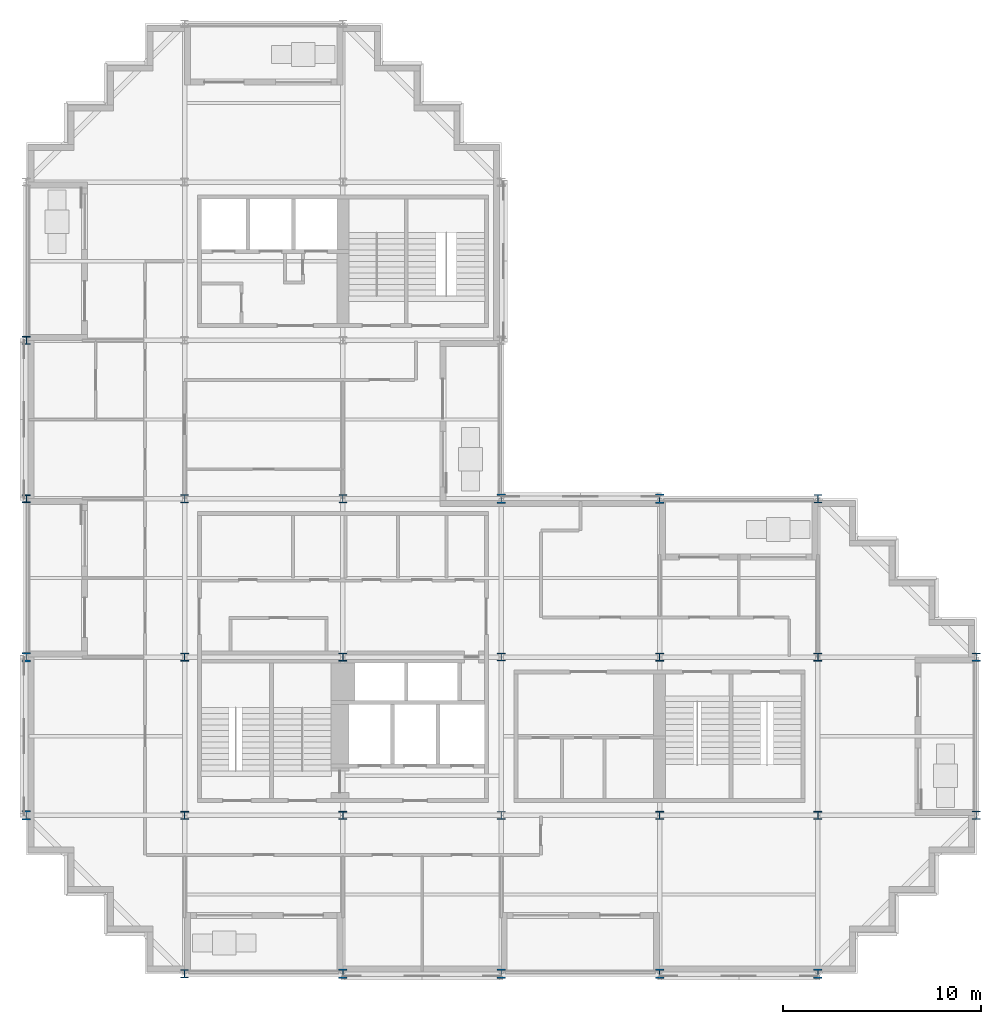
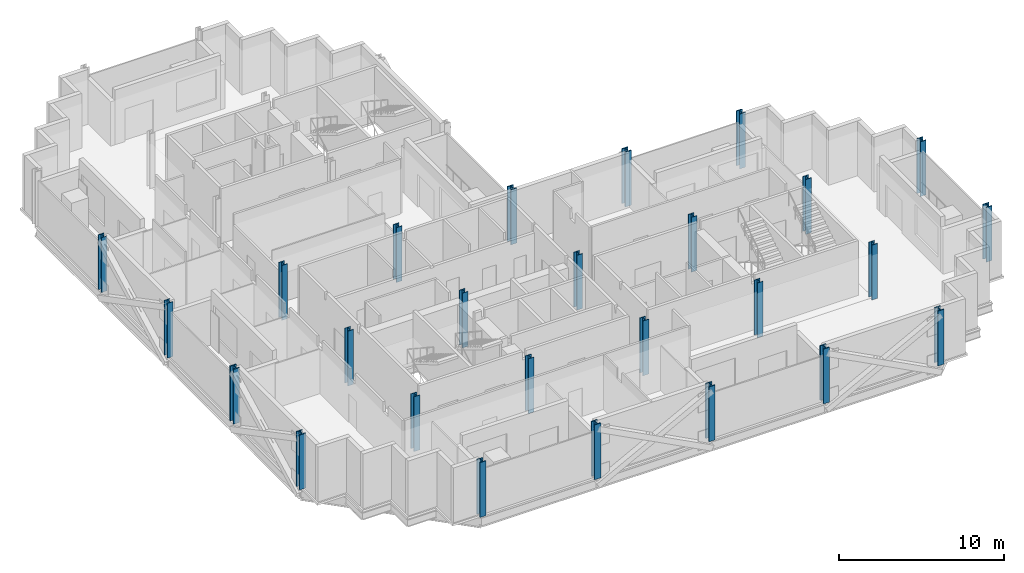
# One storey, part 1 of 12: 26 columns.
"""IFC4 building model written with IfcOpenShell, lengths in metres."""

from ifc_helpers import new_model, si_unit, direction, frame, origin, origin_2d, place, context, subcontext, project, spatial, i_section, extrude, material, material_profile, profile_set, type_object, element, save


model = new_model("IFC4")

# Units and contexts
model_context = context("Model", 3, precision=1e-05, world=origin(), true_north=direction((0.0, 1.0)))
body_context = subcontext(model_context, "Body", "Model", "MODEL_VIEW")
ifc_project = project(units=[si_unit("LENGTHUNIT", "METRE"), si_unit("AREAUNIT", "SQUARE_METRE"), si_unit("VOLUMEUNIT", "CUBIC_METRE"), si_unit("PLANEANGLEUNIT", "RADIAN"), si_unit("MASSUNIT", "GRAM", prefix="KILO")], contexts=[model_context])

# Site, building, storey
site_placement = place(None, origin())
site = spatial("IfcSite", under=ifc_project, at=site_placement, CompositionType="ELEMENT")
building_placement = place(site_placement, origin())
building = spatial("IfcBuilding", under=site, at=building_placement, Name="Immortelle Media Tower", CompositionType="ELEMENT")
storey_placement = place(building_placement, frame((0.0, 0.0, 145.199951171875)))
storey = spatial("IfcBuildingStorey", under=building, at=storey_placement, Name="L29", CompositionType="ELEMENT", Elevation=145.199951171875)

# Columns
ifc_material = material(Name="Steel ASTM A992 Gr 50", Category="steel")
ifc_material_profile_1 = material_profile(ifc_material, i_section(OverallWidth=0.40087890625, OverallDepth=0.39892578125, WebThickness=0.02490234375, FlangeThickness=0.0400390625, at=origin_2d()), Name="W14x211")
ifc_profile_set_1 = profile_set([ifc_material_profile_1], Name="Steel ASTM A992 Gr 50")
column_type_1 = type_object("IfcColumnType", Name="W14x211 column", PredefinedType="COLUMN", material=ifc_profile_set_1)
for number, where, z_axis, x_axis, name in (
    (1, (0.0, 24.0, 0.0), (0.0, 0.0, 1.0), (1.0, 0.0, 0.0), "Column 1/D"),
    (2, (0.0, 32.0, 0.0), (0.0, 0.0, 1.0), (1.0, 0.0, 0.0), "Column 1/E"),
    (3, (8.0, 8.0, 0.0), (0.0, 0.0, 1.0), (1.0, 0.0, 0.0), "Column 2/B"),
    (4, (8.0, 16.0, 0.0), (0.0, 0.0, 1.0), (1.0, 0.0, 0.0), "Column 2/C"),
    (5, (16.0, 8.0, 0.0), (0.0, 0.0, 1.0), (1.0, 0.0, 0.0), "Column 3/B"),
    (6, (16.0, 16.0, 0.0), (0.0, 0.0, 1.0), (1.0, 0.0, 0.0), "Column 3/C"),
    (7, (32.0, 8.0, 0.0), (0.0, 0.0, 1.0), (1.0, 0.0, 0.0), "Column 5/B"),
    (8, (32.0, 16.0, 0.0), (0.0, 0.0, 1.0), (1.0, 0.0, 0.0), "Column 5/C"),
    (9, (40.0, 8.0, 0.0), (0.0, 0.0, 1.0), (1.0, 0.0, 0.0), "Column 6/B"),
    (10, (40.0, 16.0, 0.0), (0.0, 0.0, 1.0), (1.0, 0.0, 0.0), "Column 6/C"),
):
    element("IfcColumn", number, at=place(storey_placement, frame(where, z_axis=z_axis, x_axis=x_axis)), inside=storey, type_object=column_type_1, Name=name, PredefinedType="COLUMN", context=body_context, shape_type="SweptSolid", body=[
        extrude(i_section(OverallWidth=0.40087890625, OverallDepth=0.39892578125, WebThickness=0.02490234375, FlangeThickness=0.0400390625, at=origin_2d()), origin(), (0.0, 0.0, 1.0), 4.050048828125),
    ])
ifc_material_profile_2 = material_profile(ifc_material, i_section(OverallWidth=0.406005859375, OverallDepth=0.4169921875, WebThickness=0.030029296875, FlangeThickness=0.048095703125, at=origin_2d()), Name="W14x257")
ifc_profile_set_2 = profile_set([ifc_material_profile_2], Name="Steel ASTM A992 Gr 50")
column_type_2 = type_object("IfcColumnType", Name="W14x257 column", PredefinedType="COLUMN", material=ifc_profile_set_2)
for number, where, z_axis, x_axis, name in (
    (11, (8.0, 24.0, 0.0), (0.0, 0.0, 1.0), (1.0, 0.0, 0.0), "Column 2/D"),
    (12, (16.0, 24.0, 0.0), (0.0, 0.0, 1.0), (1.0, 0.0, 0.0), "Column 3/D"),
    (13, (24.0, 8.0, 0.0), (0.0, 0.0, 1.0), (1.0, 0.0, 0.0), "Column 4/B"),
    (14, (24.0, 16.0, 0.0), (0.0, 0.0, 1.0), (1.0, 0.0, 0.0), "Column 4/C"),
):
    element("IfcColumn", number, at=place(storey_placement, frame(where, z_axis=z_axis, x_axis=x_axis)), inside=storey, type_object=column_type_2, Name=name, PredefinedType="COLUMN", context=body_context, shape_type="SweptSolid", body=[
        extrude(i_section(OverallWidth=0.406005859375, OverallDepth=0.4169921875, WebThickness=0.030029296875, FlangeThickness=0.048095703125, at=origin_2d()), origin(), (0.0, 0.0, 1.0), 4.050048828125),
    ])
ifc_material_profile_3 = material_profile(ifc_material, i_section(OverallWidth=0.410888671875, OverallDepth=0.43408203125, WebThickness=0.035888671875, FlangeThickness=0.056884765625, at=origin_2d()), Name="W14x311")
ifc_profile_set_3 = profile_set([ifc_material_profile_3], Name="Steel ASTM A992 Gr 50")
column_type_3 = type_object("IfcColumnType", Name="W14x311 column", PredefinedType="COLUMN", material=ifc_profile_set_3)
for number, where, z_axis, x_axis, name in (
    (15, (8.0, 0.0, 0.0), (0.0, 0.0, 1.0), (1.0, 0.0, 0.0), "Column 2/A"),
    (16, (40.0, 24.0, 0.0), (0.0, 0.0, 1.0), (1.0, 0.0, 0.0), "Column 6/D"),
    (17, (48.0, 8.0, 0.0), (0.0, 0.0, 1.0), (1.0, 0.0, 0.0), "Column 7/B"),
    (18, (48.0, 16.0, 0.0), (0.0, 0.0, 1.0), (1.0, 0.0, 0.0), "Column 7/C"),
):
    element("IfcColumn", number, at=place(storey_placement, frame(where, z_axis=z_axis, x_axis=x_axis)), inside=storey, type_object=column_type_3, Name=name, PredefinedType="COLUMN", context=body_context, shape_type="SweptSolid", body=[
        extrude(i_section(OverallWidth=0.410888671875, OverallDepth=0.43408203125, WebThickness=0.035888671875, FlangeThickness=0.056884765625, at=origin_2d()), origin(), (0.0, 0.0, 1.0), 4.050048828125),
    ])
ifc_material_profile_4 = material_profile(ifc_material, i_section(OverallWidth=0.424072265625, OverallDepth=0.47509765625, WebThickness=0.048095703125, FlangeThickness=0.076904296875, at=origin_2d()), Name="W14x426")
ifc_profile_set_4 = profile_set([ifc_material_profile_4], Name="Steel ASTM A992 Gr 50")
column_type_4 = type_object("IfcColumnType", Name="W14x426 column", PredefinedType="COLUMN", material=ifc_profile_set_4)
for number, where, z_axis, x_axis, name in (
    (19, (0.0, 8.0, 0.0), (0.0, 0.0, 1.0), (1.0, 0.0, 0.0), "Column 1/B"),
    (20, (0.0, 16.0, 0.0), (0.0, 0.0, 1.0), (1.0, 0.0, 0.0), "Column 1/C"),
    (21, (16.0, 0.0, 0.0), (0.0, 0.0, 1.0), (1.0, 0.0, 0.0), "Column 3/A"),
    (22, (24.0, 0.0, 0.0), (0.0, 0.0, 1.0), (1.0, 0.0, 0.0), "Column 4/A"),
    (23, (24.0, 24.0, 0.0), (0.0, 0.0, 1.0), (1.0, 0.0, 0.0), "Column 4/D"),
    (24, (32.0, 0.0, 0.0), (0.0, 0.0, 1.0), (1.0, 0.0, 0.0), "Column 5/A"),
    (25, (32.0, 24.0, 0.0), (0.0, 0.0, 1.0), (1.0, 0.0, 0.0), "Column 5/D"),
    (26, (40.0, 0.0, 0.0), (0.0, 0.0, 1.0), (1.0, 0.0, 0.0), "Column 6/A"),
):
    element("IfcColumn", number, at=place(storey_placement, frame(where, z_axis=z_axis, x_axis=x_axis)), inside=storey, type_object=column_type_4, Name=name, PredefinedType="COLUMN", context=body_context, shape_type="SweptSolid", body=[
        extrude(i_section(OverallWidth=0.424072265625, OverallDepth=0.47509765625, WebThickness=0.048095703125, FlangeThickness=0.076904296875, at=origin_2d()), origin(), (0.0, 0.0, 1.0), 4.050048828125),
    ])

save(model, "model.ifc")
